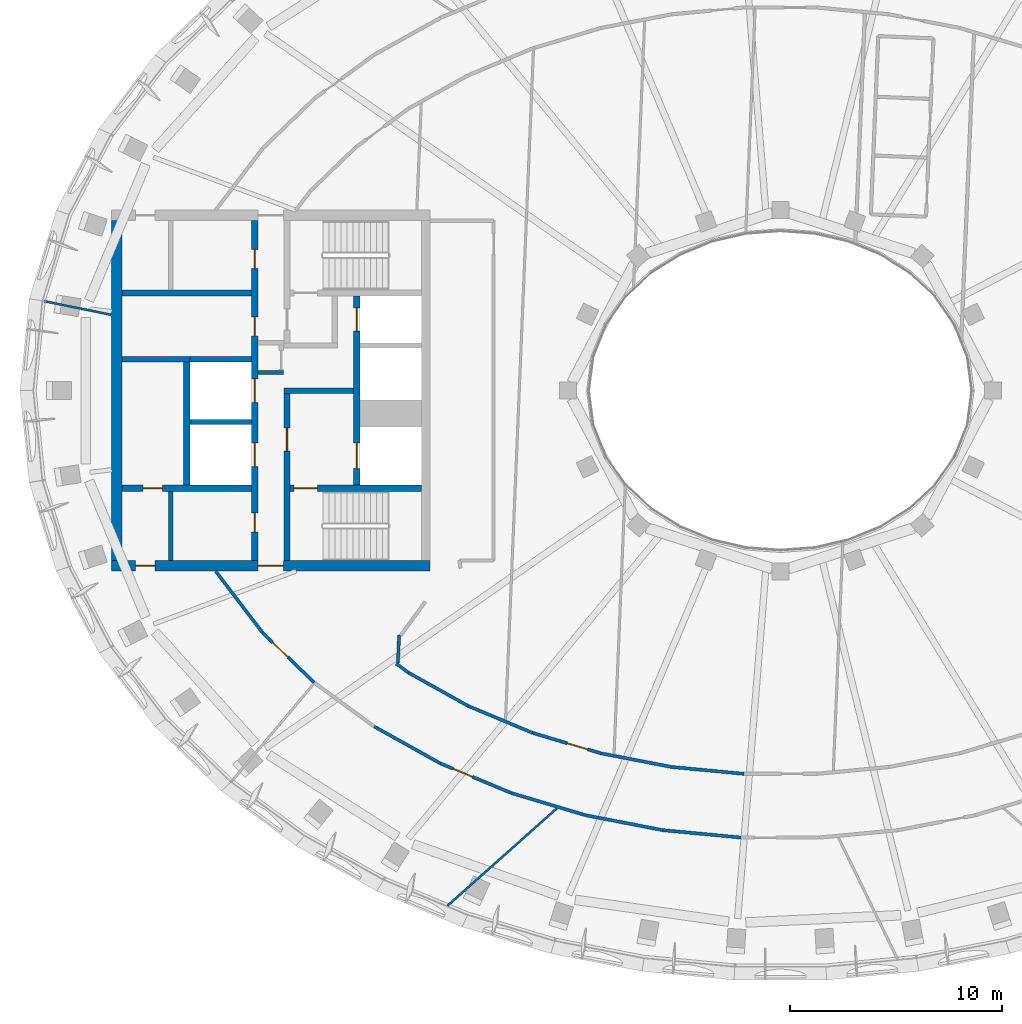
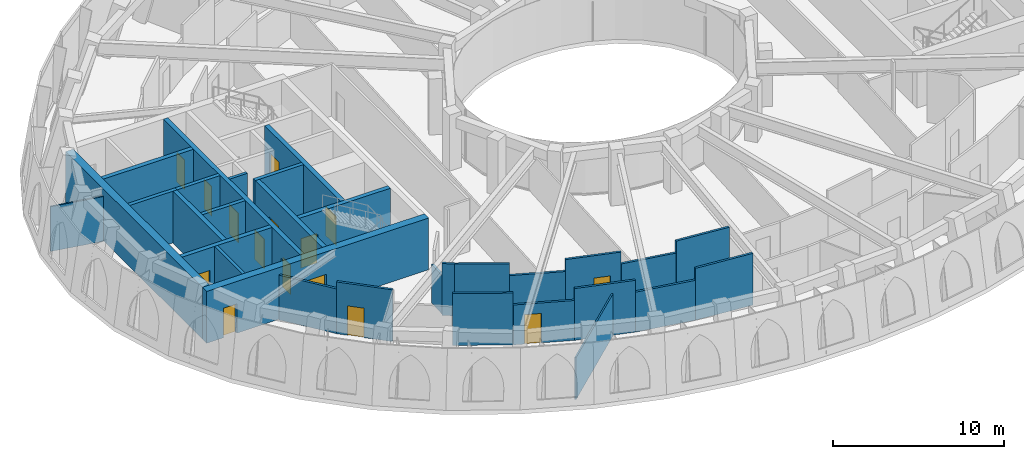
# One storey, part 3 of 14: 31 walls, 15 doors, 15 openings.
"""IFC4 building model written with IfcOpenShell, lengths in metres."""

from ifc_helpers import new_model, si_unit, direction, frame, frame_2d, origin, place, context, subcontext, project, spatial, rectangle, extrude, material, layer, layer_set, type_object, element, fill, save


model = new_model("IFC4")

# Units and contexts
model_context = context("Model", 3, precision=1e-05, world=origin(), true_north=direction((0.0, 1.0)))
body_context = subcontext(model_context, "Body", "Model", "MODEL_VIEW")
ifc_project = project(units=[si_unit("LENGTHUNIT", "METRE"), si_unit("AREAUNIT", "SQUARE_METRE"), si_unit("VOLUMEUNIT", "CUBIC_METRE"), si_unit("PLANEANGLEUNIT", "RADIAN"), si_unit("MASSUNIT", "GRAM", prefix="KILO")], contexts=[model_context])

# Site, building, storey
site_placement = place(None, origin())
site = spatial("IfcSite", under=ifc_project, at=site_placement, CompositionType="ELEMENT")
building_placement = place(site_placement, origin())
building = spatial("IfcBuilding", under=site, at=building_placement, Name="Noorbagh Ring Tower", CompositionType="ELEMENT")
storey_placement = place(building_placement, frame((0.0, 0.0, 335.0)))
storey = spatial("IfcBuildingStorey", under=building, at=storey_placement, Name="L73", CompositionType="ELEMENT", Elevation=335.0)

# Walls
ifc_material_1 = material(Name="Gypsum board on steel studs", Category="steel")
ifc_layer_1 = layer(ifc_material_1, 0.199951171875)
ifc_layer_set_1 = layer_set([ifc_layer_1], Name="Gypsum board on steel studs")
wall_type_1 = type_object("IfcWallType", Name="CORE-PARTITION-200", PredefinedType="PARTITIONING", material=ifc_layer_set_1)
wall_1_placement = place(storey_placement, frame((-23.39990234375, 0.85009765625, 0.0), z_axis=(0.0, 0.0, 1.0), x_axis=(-1.0, 0.0, 0.0)))
element("IfcWall", 1, at=wall_1_placement, inside=storey, type_object=wall_type_1, Name="Core partition W", PredefinedType="PARTITIONING", context=body_context, shape_type="SweptSolid", body=[
    extrude(rectangle(XDim=1.2001953125, YDim=0.199951171875, at=frame_2d((0.60009765625, 0.0))), origin(), (0.0, 0.0, 1.0), 3.699951171875),
])
wall_2_placement = place(storey_placement, frame((-28.699951171875, -8.0, 0.0), z_axis=(0.0, 0.0, 1.0), x_axis=(0.0, 1.0, 0.0)))
element("IfcWall", 2, at=wall_2_placement, inside=storey, type_object=wall_type_1, Name="Core partition W", PredefinedType="PARTITIONING", context=body_context, shape_type="SweptSolid", body=[
    extrude(rectangle(XDim=3.25, YDim=0.199951171875, at=frame_2d((1.625, 0.0))), origin(), (0.0, 0.0, 1.0), 3.699951171875),
])
ifc_material_2 = material(Name="Concrete C50/60", Category="concrete")
ifc_layer_2 = layer(ifc_material_2, 0.25)
ifc_layer_set_2 = layer_set([ifc_layer_2], Name="Concrete C50/60")
wall_type_2 = type_object("IfcWallType", Name="CORE-WALL-250-C50-60-EI120", PredefinedType="SHEAR", material=ifc_layer_set_2)
wall_3_placement = place(storey_placement, frame((-27.800048828125, 1.47509765625, 0.0), z_axis=(0.0, 0.0, 1.0), x_axis=(-1.0, 0.0, 0.0)))
element("IfcWall", 3, at=wall_3_placement, inside=storey, type_object=wall_type_2, Name="Core wall W", PredefinedType="SHEAR", context=body_context, shape_type="SweptSolid", body=[
    extrude(rectangle(XDim=3.199951171875, YDim=0.25, at=frame_2d((1.60009765625, 0.0))), origin(), (0.0, 0.0, 1.0), 3.699951171875),
])
for number, where, z_axis, x_axis, name in (
    (4, (-24.89990234375, -1.47509765625, 0.0), (0.0, 0.0, 1.0), (-1.0, 0.0, 0.0), "Core wall W"),
    (5, (-24.89990234375, 1.47509765625, 0.0), (0.0, 0.0, 1.0), (-1.0, 0.0, 0.0), "Core wall W"),
):
    element("IfcWall", number, at=place(storey_placement, frame(where, z_axis=z_axis, x_axis=x_axis)), inside=storey, type_object=wall_type_2, Name=name, PredefinedType="SHEAR", context=body_context, shape_type="SweptSolid", body=[
        extrude(rectangle(XDim=2.900146484375, YDim=0.25, at=frame_2d((1.4501953125, 0.0))), origin(), (0.0, 0.0, 1.0), 3.699951171875),
    ])
ifc_material_3 = material(Name="Concrete C50/60", Category="concrete")
ifc_layer_3 = layer(ifc_material_3, 0.25)
ifc_layer_set_3 = layer_set([ifc_layer_3], Name="Concrete C50/60")
wall_type_3 = type_object("IfcWallType", Name="CORE-WALL-250-C50-60-EI240", PredefinedType="SHEAR", material=ifc_layer_set_3)
wall_4_placement = place(storey_placement, frame((-20.10009765625, 0.0, 0.0), z_axis=(0.0, 0.0, 1.0), x_axis=(-1.0, 0.0, 0.0)))
element("IfcWall", 6, at=wall_4_placement, inside=storey, type_object=wall_type_3, Name="Core wall W", PredefinedType="SHEAR", context=body_context, shape_type="SweptSolid", body=[
    extrude(rectangle(XDim=3.27978515625, YDim=0.25, at=frame_2d((1.639892578125, 0.0))), origin(), (0.0, 0.0, 1.0), 3.699951171875),
])
ifc_material_4 = material(Name="Concrete C50/60", Category="concrete")
ifc_layer_4 = layer(ifc_material_4, 0.300048828125)
ifc_layer_set_4 = layer_set([ifc_layer_4], Name="Concrete C50/60")
wall_type_4 = type_object("IfcWallType", Name="CORE-WALL-300-C50-60-EI120", PredefinedType="SHEAR", material=ifc_layer_set_4)
wall_5_placement = place(storey_placement, frame((-27.949951171875, -4.449951171875, 0.0), z_axis=(0.0, 0.0, 1.0), x_axis=(0.0, 1.0, 0.0)))
element("IfcWall", 7, at=wall_5_placement, inside=storey, type_object=wall_type_4, Name="Core wall W", PredefinedType="SHEAR", context=body_context, shape_type="SweptSolid", body=[
    extrude(rectangle(XDim=5.800048828125, YDim=0.300048828125, at=frame_2d((2.89990234375, 0.0))), origin(), (0.0, 0.0, 1.0), 3.699951171875),
])

# Wall, openings, doors
wall_6_placement = place(storey_placement, frame((-19.949951171875, -4.449951171875, 0.0), z_axis=(0.0, 0.0, 1.0), x_axis=(0.0, 1.0, 0.0)))
wall_6 = element("IfcWall", 8, at=wall_6_placement, inside=storey, type_object=wall_type_4, Name="Core wall W", PredefinedType="SHEAR", context=body_context, shape_type="SweptSolid", body=[
    extrude(rectangle(XDim=8.89990234375, YDim=0.300048828125, at=frame_2d((4.449951171875, 0.0))), origin(), (0.0, 0.0, 1.0), 3.699951171875),
])
opening_1_placement = place(wall_6_placement, frame((0.77490234375, 0.0, 0.0)))
opening_1 = element("IfcOpeningElement", 9, at=opening_1_placement, cuts=wall_6, Name="Opening L73-CW01", PredefinedType="OPENING", context=body_context, shape_type="SweptSolid", body=[
    extrude(rectangle(XDim=1.199951171875, YDim=2.10009765625, at=frame_2d((0.60009765625, 1.050048828125))), frame((0.0, 0.16015625, 0.0), z_axis=(0.0, -1.0, 0.0), x_axis=(1.0, 0.0, 0.0)), (0.0, 0.0, 1.0), 0.320068359375),
])
opening_2_placement = place(wall_6_placement, frame((7.25, 0.0, 0.0)))
opening_2 = element("IfcOpeningElement", 10, at=opening_2_placement, cuts=wall_6, Name="Opening L73-CW02", PredefinedType="OPENING", context=body_context, shape_type="SweptSolid", body=[
    extrude(rectangle(XDim=1.10009765625, YDim=2.10009765625, at=frame_2d((0.550048828125, 1.050048828125))), frame((0.0, 0.16015625, 0.0), z_axis=(0.0, -1.0, 0.0), x_axis=(1.0, 0.0, 0.0)), (0.0, 0.0, 1.0), 0.320068359375),
])
ifc_material_5 = material(Name="Steel door leaf", Category="steel")
door_type_1 = type_object("IfcDoorType", Name="CORE-DOOR-LD", OperationType="DOUBLE_DOOR_SLIDING", PredefinedType="DOOR", material=ifc_material_5)
door_1_placement = place(opening_2_placement, origin())
door_1 = element("IfcDoor", 11, at=door_1_placement, inside=storey, type_object=door_type_1, Name="Landing door HR1 L73-CW02", OperationType="DOUBLE_DOOR_SLIDING", OverallHeight=2.10009765625, OverallWidth=1.10009765625, PredefinedType="DOOR", context=body_context, shape_type="SweptSolid", body=[
    extrude(rectangle(XDim=1.10009765625, YDim=2.10009765625, at=frame_2d((0.550048828125, 1.050048828125))), frame((0.0, 0.02490234375, 0.0), z_axis=(0.0, -1.0, 0.0), x_axis=(1.0, 0.0, 0.0)), (0.0, 0.0, 1.0), 0.050048828125),
])
fill(opening_2, door_1)
ifc_material_6 = material(Name="Steel door leaf", Category="steel")
door_type_2 = type_object("IfcDoorType", Name="CORE-DOOR-LDW", OperationType="DOUBLE_DOOR_SLIDING", PredefinedType="DOOR", material=ifc_material_6)
door_2_placement = place(opening_1_placement, origin())
door_2 = element("IfcDoor", 12, at=door_2_placement, inside=storey, type_object=door_type_2, Name="Landing door FF1 L73-CW01", OperationType="DOUBLE_DOOR_SLIDING", OverallHeight=2.10009765625, OverallWidth=1.199951171875, PredefinedType="DOOR", context=body_context, shape_type="SweptSolid", body=[
    extrude(rectangle(XDim=1.199951171875, YDim=2.10009765625, at=frame_2d((0.60009765625, 1.050048828125))), frame((0.0, 0.02490234375, 0.0), z_axis=(0.0, -1.0, 0.0), x_axis=(1.0, 0.0, 0.0)), (0.0, 0.0, 1.0), 0.050048828125),
])
fill(opening_1, door_2)

wall_7_placement = place(storey_placement, frame((-24.75, -8.0, 0.0), z_axis=(0.0, 0.0, 1.0), x_axis=(0.0, 1.0, 0.0)))
wall_7 = element("IfcWall", 13, at=wall_7_placement, inside=storey, type_object=wall_type_4, Name="Core wall W", PredefinedType="SHEAR", context=body_context, shape_type="SweptSolid", body=[
    extrude(rectangle(XDim=16.0, YDim=0.300048828125, at=frame_2d((8.0, 0.0))), origin(), (0.0, 0.0, 1.0), 3.699951171875),
])
opening_3_placement = place(wall_7_placement, frame((4.425048828125, 0.0, 0.0)))
opening_3 = element("IfcOpeningElement", 14, at=opening_3_placement, cuts=wall_7, Name="Opening L73-CW03", PredefinedType="OPENING", context=body_context, shape_type="SweptSolid", body=[
    extrude(rectangle(XDim=1.10009765625, YDim=2.10009765625, at=frame_2d((0.550048828125, 1.050048828125))), frame((0.0, 0.16015625, 0.0), z_axis=(0.0, -1.0, 0.0), x_axis=(1.0, 0.0, 0.0)), (0.0, 0.0, 1.0), 0.320068359375),
])
opening_4_placement = place(wall_7_placement, frame((7.449951171875, 0.0, 0.0)))
opening_4 = element("IfcOpeningElement", 15, at=opening_4_placement, cuts=wall_7, Name="Opening L73-CW04", PredefinedType="OPENING", context=body_context, shape_type="SweptSolid", body=[
    extrude(rectangle(XDim=1.10009765625, YDim=2.10009765625, at=frame_2d((0.550048828125, 1.050048828125))), frame((0.0, 0.16015625, 0.0), z_axis=(0.0, -1.0, 0.0), x_axis=(1.0, 0.0, 0.0)), (0.0, 0.0, 1.0), 0.320068359375),
])
opening_5_placement = place(wall_7_placement, frame((10.574951171875, 0.0, 0.0)))
opening_5 = element("IfcOpeningElement", 16, at=opening_5_placement, cuts=wall_7, Name="Opening L73-CW11", PredefinedType="OPENING", context=body_context, shape_type="SweptSolid", body=[
    extrude(rectangle(XDim=0.89990234375, YDim=2.10009765625, at=frame_2d((0.449951171875, 1.050048828125))), frame((0.0, 0.16015625, 0.0), z_axis=(0.0, -1.0, 0.0), x_axis=(1.0, 0.0, 0.0)), (0.0, 0.0, 1.0), 0.320068359375),
])
opening_6_placement = place(wall_7_placement, frame((13.75, 0.0, 0.0)))
opening_6 = element("IfcOpeningElement", 17, at=opening_6_placement, cuts=wall_7, Name="Opening L73-CW12", PredefinedType="OPENING", context=body_context, shape_type="SweptSolid", body=[
    extrude(rectangle(XDim=0.89990234375, YDim=2.10009765625, at=frame_2d((0.449951171875, 1.050048828125))), frame((0.0, 0.16015625, 0.0), z_axis=(0.0, -1.0, 0.0), x_axis=(1.0, 0.0, 0.0)), (0.0, 0.0, 1.0), 0.320068359375),
])
opening_7_placement = place(wall_7_placement, frame((1.35009765625, 0.0, 0.0)))
opening_7 = element("IfcOpeningElement", 18, at=opening_7_placement, cuts=wall_7, Name="Opening L73-CW14", PredefinedType="OPENING", context=body_context, shape_type="SweptSolid", body=[
    extrude(rectangle(XDim=0.89990234375, YDim=2.10009765625, at=frame_2d((0.449951171875, 1.050048828125))), frame((0.0, 0.16015625, 0.0), z_axis=(0.0, -1.0, 0.0), x_axis=(1.0, 0.0, 0.0)), (0.0, 0.0, 1.0), 0.320068359375),
])
ifc_material_7 = material(Name="Steel door leaf", Category="steel")
door_type_3 = type_object("IfcDoorType", Name="CORE-DOOR-DROOM", OperationType="SINGLE_SWING_LEFT", PredefinedType="DOOR", material=ifc_material_7)
door_3_placement = place(opening_5_placement, origin())
door_3 = element("IfcDoor", 19, at=door_3_placement, inside=storey, type_object=door_type_3, Name="Core room door L73-CW11", OperationType="SINGLE_SWING_RIGHT", OverallHeight=2.10009765625, OverallWidth=0.89990234375, PredefinedType="DOOR", context=body_context, shape_type="SweptSolid", body=[
    extrude(rectangle(XDim=0.89990234375, YDim=2.10009765625, at=frame_2d((0.449951171875, 1.050048828125))), frame((0.0, 0.02490234375, 0.0), z_axis=(0.0, -1.0, 0.0), x_axis=(1.0, 0.0, 0.0)), (0.0, 0.0, 1.0), 0.050048828125),
])
fill(opening_5, door_3)
door_4_placement = place(opening_6_placement, origin())
door_4 = element("IfcDoor", 20, at=door_4_placement, inside=storey, type_object=door_type_3, Name="Core room door L73-CW12", OperationType="SINGLE_SWING_RIGHT", OverallHeight=2.10009765625, OverallWidth=0.89990234375, PredefinedType="DOOR", context=body_context, shape_type="SweptSolid", body=[
    extrude(rectangle(XDim=0.89990234375, YDim=2.10009765625, at=frame_2d((0.449951171875, 1.050048828125))), frame((0.0, 0.02490234375, 0.0), z_axis=(0.0, -1.0, 0.0), x_axis=(1.0, 0.0, 0.0)), (0.0, 0.0, 1.0), 0.050048828125),
])
fill(opening_6, door_4)
door_5_placement = place(opening_7_placement, origin())
door_5 = element("IfcDoor", 21, at=door_5_placement, inside=storey, type_object=door_type_3, Name="Core room door L73-CW14", OperationType="SINGLE_SWING_LEFT", OverallHeight=2.10009765625, OverallWidth=0.89990234375, PredefinedType="DOOR", context=body_context, shape_type="SweptSolid", body=[
    extrude(rectangle(XDim=0.89990234375, YDim=2.10009765625, at=frame_2d((0.449951171875, 1.050048828125))), frame((0.0, 0.02490234375, 0.0), z_axis=(0.0, -1.0, 0.0), x_axis=(1.0, 0.0, 0.0)), (0.0, 0.0, 1.0), 0.050048828125),
])
fill(opening_7, door_5)
door_6_placement = place(opening_3_placement, origin())
door_6 = element("IfcDoor", 22, at=door_6_placement, inside=storey, type_object=door_type_1, Name="Landing door HR5 L73-CW03", OperationType="DOUBLE_DOOR_SLIDING", OverallHeight=2.10009765625, OverallWidth=1.10009765625, PredefinedType="DOOR", context=body_context, shape_type="SweptSolid", body=[
    extrude(rectangle(XDim=1.10009765625, YDim=2.10009765625, at=frame_2d((0.550048828125, 1.050048828125))), frame((0.0, 0.02490234375, 0.0), z_axis=(0.0, -1.0, 0.0), x_axis=(1.0, 0.0, 0.0)), (0.0, 0.0, 1.0), 0.050048828125),
])
fill(opening_3, door_6)
door_7_placement = place(opening_4_placement, origin())
door_7 = element("IfcDoor", 23, at=door_7_placement, inside=storey, type_object=door_type_1, Name="Landing door HR6 L73-CW04", OperationType="DOUBLE_DOOR_SLIDING", OverallHeight=2.10009765625, OverallWidth=1.10009765625, PredefinedType="DOOR", context=body_context, shape_type="SweptSolid", body=[
    extrude(rectangle(XDim=1.10009765625, YDim=2.10009765625, at=frame_2d((0.550048828125, 1.050048828125))), frame((0.0, 0.02490234375, 0.0), z_axis=(0.0, -1.0, 0.0), x_axis=(1.0, 0.0, 0.0)), (0.0, 0.0, 1.0), 0.050048828125),
])
fill(opening_4, door_7)

# Wall
ifc_material_8 = material(Name="Concrete C50/60", Category="concrete")
ifc_layer_5 = layer(ifc_material_8, 0.300048828125)
ifc_layer_set_5 = layer_set([ifc_layer_5], Name="Concrete C50/60")
wall_type_5 = type_object("IfcWallType", Name="CORE-WALL-300-C50-60-EI240", PredefinedType="SHEAR", material=ifc_layer_set_5)
wall_8_placement = place(storey_placement, frame((-24.89990234375, 4.60009765625, 0.0), z_axis=(0.0, 0.0, 1.0), x_axis=(-1.0, 0.0, 0.0)))
element("IfcWall", 24, at=wall_8_placement, inside=storey, type_object=wall_type_5, Name="Core wall W", PredefinedType="SHEAR", context=body_context, shape_type="SweptSolid", body=[
    extrude(rectangle(XDim=6.10009765625, YDim=0.300048828125, at=frame_2d((3.050048828125, 0.0))), origin(), (0.0, 0.0, 1.0), 3.699951171875),
])

# Wall, opening, door
wall_9_placement = place(storey_placement, frame((-24.89990234375, -4.60009765625, 0.0), z_axis=(0.0, 0.0, 1.0), x_axis=(-1.0, 0.0, 0.0)))
wall_9 = element("IfcWall", 25, at=wall_9_placement, inside=storey, type_object=wall_type_5, Name="Core wall W", PredefinedType="SHEAR", context=body_context, shape_type="SweptSolid", body=[
    extrude(rectangle(XDim=6.10009765625, YDim=0.300048828125, at=frame_2d((3.050048828125, 0.0))), origin(), (0.0, 0.0, 1.0), 3.699951171875),
])
opening_8_placement = place(wall_9_placement, frame((4.199951171875, 0.0, 0.0)))
opening_8 = element("IfcOpeningElement", 26, at=opening_8_placement, cuts=wall_9, Name="Opening L73-CW17", PredefinedType="OPENING", context=body_context, shape_type="SweptSolid", body=[
    extrude(rectangle(XDim=0.89990234375, YDim=2.10009765625, at=frame_2d((0.449951171875, 1.050048828125))), frame((0.0, 0.16015625, 0.0), z_axis=(0.0, -1.0, 0.0), x_axis=(1.0, 0.0, 0.0)), (0.0, 0.0, 1.0), 0.320068359375),
])
door_8_placement = place(opening_8_placement, origin())
door_8 = element("IfcDoor", 27, at=door_8_placement, inside=storey, type_object=door_type_3, Name="Core room door L73-CW17", OperationType="SINGLE_SWING_RIGHT", OverallHeight=2.10009765625, OverallWidth=0.89990234375, PredefinedType="DOOR", context=body_context, shape_type="SweptSolid", body=[
    extrude(rectangle(XDim=0.89990234375, YDim=2.10009765625, at=frame_2d((0.449951171875, 1.050048828125))), frame((0.0, 0.02490234375, 0.0), z_axis=(0.0, -1.0, 0.0), x_axis=(1.0, 0.0, 0.0)), (0.0, 0.0, 1.0), 0.050048828125),
])
fill(opening_8, door_8)

wall_10_placement = place(storey_placement, frame((-23.22998046875, -8.0, 0.0), z_axis=(0.0, 0.0, 1.0), x_axis=(0.0, 1.0, 0.0)))
wall_10 = element("IfcWall", 28, at=wall_10_placement, inside=storey, type_object=wall_type_5, Name="Core wall W", PredefinedType="SHEAR", context=body_context, shape_type="SweptSolid", body=[
    extrude(rectangle(XDim=7.875, YDim=0.300048828125, at=frame_2d((3.9375, 0.0))), origin(), (0.0, 0.0, 1.0), 3.699951171875),
])
opening_9_placement = place(wall_10_placement, frame((5.14990234375, 0.0, 0.0)))
opening_9 = element("IfcOpeningElement", 29, at=opening_9_placement, cuts=wall_10, Name="Opening L73-CW07", PredefinedType="OPENING", context=body_context, shape_type="SweptSolid", body=[
    extrude(rectangle(XDim=1.10009765625, YDim=2.10009765625, at=frame_2d((0.550048828125, 1.050048828125))), frame((0.0, 0.16015625, 0.0), z_axis=(0.0, -1.0, 0.0), x_axis=(1.0, 0.0, 0.0)), (0.0, 0.0, 1.0), 0.320068359375),
])
ifc_material_9 = material(Name="Steel door leaf", Category="steel")
door_type_4 = type_object("IfcDoorType", Name="CORE-DOOR-DFF", OperationType="SINGLE_SWING_LEFT", PredefinedType="DOOR", material=ifc_material_9)
door_9_placement = place(opening_9_placement, origin())
door_9 = element("IfcDoor", 30, at=door_9_placement, inside=storey, type_object=door_type_4, Name="Firefighting lobby door L73-CW07", OperationType="SINGLE_SWING_LEFT", OverallHeight=2.10009765625, OverallWidth=1.10009765625, PredefinedType="DOOR", context=body_context, shape_type="SweptSolid", body=[
    extrude(rectangle(XDim=1.10009765625, YDim=2.10009765625, at=frame_2d((0.550048828125, 1.050048828125))), frame((0.0, 0.02490234375, 0.0), z_axis=(0.0, -1.0, 0.0), x_axis=(1.0, 0.0, 0.0)), (0.0, 0.0, 1.0), 0.050048828125),
])
fill(opening_9, door_9)

wall_11_placement = place(storey_placement, frame((-16.89990234375, -4.60009765625, 0.0), z_axis=(0.0, 0.0, 1.0), x_axis=(-1.0, 0.0, 0.0)))
wall_11 = element("IfcWall", 31, at=wall_11_placement, inside=storey, type_object=wall_type_5, Name="Core wall W", PredefinedType="SHEAR", context=body_context, shape_type="SweptSolid", body=[
    extrude(rectangle(XDim=6.18017578125, YDim=0.300048828125, at=frame_2d((3.090087890625, 0.0))), origin(), (0.0, 0.0, 1.0), 3.699951171875),
])
opening_10_placement = place(wall_11_placement, frame((4.89990234375, 0.0, 0.0)))
opening_10 = element("IfcOpeningElement", 32, at=opening_10_placement, cuts=wall_11, Name="Opening L73-CW06", PredefinedType="OPENING", context=body_context, shape_type="SweptSolid", body=[
    extrude(rectangle(XDim=1.10009765625, YDim=2.10009765625, at=frame_2d((0.550048828125, 1.050048828125))), frame((0.0, 0.16015625, 0.0), z_axis=(0.0, -1.0, 0.0), x_axis=(1.0, 0.0, 0.0)), (0.0, 0.0, 1.0), 0.320068359375),
])
ifc_material_10 = material(Name="Steel door leaf", Category="steel")
door_type_5 = type_object("IfcDoorType", Name="CORE-DOOR-DSTAIR", OperationType="SINGLE_SWING_LEFT", PredefinedType="DOOR", material=ifc_material_10)
door_10_placement = place(opening_10_placement, origin())
door_10 = element("IfcDoor", 33, at=door_10_placement, inside=storey, type_object=door_type_5, Name="Stair door ST2 L73-CW06", OperationType="SINGLE_SWING_LEFT", OverallHeight=2.10009765625, OverallWidth=1.10009765625, PredefinedType="DOOR", context=body_context, shape_type="SweptSolid", body=[
    extrude(rectangle(XDim=1.10009765625, YDim=2.10009765625, at=frame_2d((0.550048828125, 1.050048828125))), frame((0.0, 0.02490234375, 0.0), z_axis=(0.0, -1.0, 0.0), x_axis=(1.0, 0.0, 0.0)), (0.0, 0.0, 1.0), 0.050048828125),
])
fill(opening_10, door_10)

# Wall, openings, doors
ifc_material_11 = material(Name="Concrete C50/60", Category="concrete")
ifc_layer_6 = layer(ifc_material_11, 0.5)
ifc_layer_set_6 = layer_set([ifc_layer_6], Name="Concrete C50/60")
wall_type_6 = type_object("IfcWallType", Name="CORE-WALL-500-C50-60-EI240", PredefinedType="SHEAR", material=ifc_layer_set_6)
wall_12_placement = place(storey_placement, frame((-16.5, -8.25, 0.0), z_axis=(0.0, 0.0, 1.0), x_axis=(-1.0, 0.0, 0.0)))
wall_12 = element("IfcWall", 34, at=wall_12_placement, inside=storey, type_object=wall_type_6, Name="Core wall W", PredefinedType="SHEAR", context=body_context, shape_type="SweptSolid", body=[
    extrude(rectangle(XDim=15.0, YDim=0.5, at=frame_2d((7.5, 0.0))), origin(), (0.0, 0.0, 1.0), 3.699951171875),
])
opening_11_placement = place(wall_12_placement, frame((6.89990234375, 0.0, 0.0)))
opening_11 = element("IfcOpeningElement", 35, at=opening_11_placement, cuts=wall_12, Name="Opening L73-CW10", PredefinedType="OPENING", context=body_context, shape_type="SweptSolid", body=[
    extrude(rectangle(XDim=1.199951171875, YDim=2.10009765625, at=frame_2d((0.60009765625, 1.050048828125))), frame((0.0, 0.260009765625, 0.0), z_axis=(0.0, -1.0, 0.0), x_axis=(1.0, 0.0, 0.0)), (0.0, 0.0, 1.0), 0.52001953125),
])
opening_12_placement = place(wall_12_placement, frame((12.949951171875, 0.0, 0.0)))
opening_12 = element("IfcOpeningElement", 36, at=opening_12_placement, cuts=wall_12, Name="Opening L73-CW15", PredefinedType="OPENING", context=body_context, shape_type="SweptSolid", body=[
    extrude(rectangle(XDim=0.89990234375, YDim=2.10009765625, at=frame_2d((0.449951171875, 1.050048828125))), frame((0.0, 0.260009765625, 0.0), z_axis=(0.0, -1.0, 0.0), x_axis=(1.0, 0.0, 0.0)), (0.0, 0.0, 1.0), 0.52001953125),
])
door_11_placement = place(opening_12_placement, origin())
door_11 = element("IfcDoor", 37, at=door_11_placement, inside=storey, type_object=door_type_3, Name="Core room door L73-CW15", OperationType="SINGLE_SWING_LEFT", OverallHeight=2.10009765625, OverallWidth=0.89990234375, PredefinedType="DOOR", context=body_context, shape_type="SweptSolid", body=[
    extrude(rectangle(XDim=0.89990234375, YDim=2.10009765625, at=frame_2d((0.449951171875, 1.050048828125))), frame((0.0, 0.02490234375, 0.0), z_axis=(0.0, -1.0, 0.0), x_axis=(1.0, 0.0, 0.0)), (0.0, 0.0, 1.0), 0.050048828125),
])
fill(opening_12, door_11)
ifc_material_12 = material(Name="Steel door leaf", Category="steel")
door_type_6 = type_object("IfcDoorType", Name="CORE-DOOR-PORT", OperationType="DOUBLE_DOOR_DOUBLE_SWING", PredefinedType="DOOR", material=ifc_material_12)
door_12_placement = place(opening_11_placement, origin())
door_12 = element("IfcDoor", 38, at=door_12_placement, inside=storey, type_object=door_type_6, Name="Core entrance door L73-CW10", OperationType="DOUBLE_DOOR_DOUBLE_SWING", OverallHeight=2.10009765625, OverallWidth=1.199951171875, PredefinedType="DOOR", context=body_context, shape_type="SweptSolid", body=[
    extrude(rectangle(XDim=1.199951171875, YDim=2.10009765625, at=frame_2d((0.60009765625, 1.050048828125))), frame((0.0, 0.02490234375, 0.0), z_axis=(0.0, -1.0, 0.0), x_axis=(1.0, 0.0, 0.0)), (0.0, 0.0, 1.0), 0.050048828125),
])
fill(opening_11, door_12)

# Walls
wall_13_placement = place(storey_placement, frame((-31.25, -8.0, 0.0), z_axis=(0.0, 0.0, 1.0), x_axis=(0.0, 1.0, 0.0)))
element("IfcWall", 39, at=wall_13_placement, inside=storey, type_object=wall_type_6, Name="Core wall W", PredefinedType="SHEAR", context=body_context, shape_type="SweptSolid", body=[
    extrude(rectangle(XDim=16.0, YDim=0.5, at=frame_2d((8.0, 0.0))), origin(), (0.0, 0.0, 1.0), 3.699951171875),
])
ifc_material_13 = material(Name="Gypsum board on steel studs", Category="steel")
ifc_layer_7 = layer(ifc_material_13, 0.14990234375)
ifc_layer_set_7 = layer_set([ifc_layer_7], Name="Gypsum board on steel studs")
wall_type_7 = type_object("IfcWallType", Name="CORRIDOR PARTITION 150 EI 30", PredefinedType="PARTITIONING", material=ifc_layer_set_7)
wall_14_placement = place(storey_placement, frame((-26.5869140625, -8.5, 0.0), z_axis=(0.0, 0.0, 1.0), x_axis=(0.606510838275, -0.795075218489, 0.0)))
element("IfcWall", 40, at=wall_14_placement, inside=storey, type_object=wall_type_7, Name="L73/wall/P02", PredefinedType="PARTITIONING", context=body_context, shape_type="SweptSolid", body=[
    extrude(rectangle(XDim=3.6484375, YDim=0.14990234375, at=frame_2d((1.82421875, 0.0))), origin(), (0.0, 0.0, 1.0), 3.199951171875),
])

# Wall, opening, door
wall_15_placement = place(storey_placement, frame((-24.3740234375, -11.40087890625, 0.0), z_axis=(0.0, 0.0, 1.0), x_axis=(0.719584708849, -0.694404670772, 0.0)))
wall_15 = element("IfcWall", 41, at=wall_15_placement, inside=storey, type_object=wall_type_7, Name="L73/wall/P05", PredefinedType="PARTITIONING", context=body_context, shape_type="SweptSolid", body=[
    extrude(rectangle(XDim=3.3740234375, YDim=0.14990234375, at=frame_2d((1.68701171875, 0.0))), origin(), (0.0, 0.0, 1.0), 3.699951171875),
])
opening_13_placement = place(wall_15_placement, frame((0.64990234375, 0.0, 0.0)))
opening_13 = element("IfcOpeningElement", 42, at=opening_13_placement, cuts=wall_15, Name="Opening D1", PredefinedType="OPENING", context=body_context, shape_type="SweptSolid", body=[
    extrude(rectangle(XDim=1.0, YDim=2.10009765625, at=frame_2d((0.5, 1.050048828125))), frame((0.0, 0.0849609375, 0.0), z_axis=(0.0, -1.0, 0.0), x_axis=(1.0, 0.0, 0.0)), (0.0, 0.0, 1.0), 0.169921875),
])
ifc_material_14 = material(Name="Timber, painted", Category="wood")
door_type_7 = type_object("IfcDoorType", Name="DOOR 1000 X 2100 FD30", OperationType="SINGLE_SWING_LEFT", PredefinedType="DOOR", material=ifc_material_14)
door_13_placement = place(opening_13_placement, origin())
door_13 = element("IfcDoor", 43, at=door_13_placement, inside=storey, type_object=door_type_7, Name="L73-D05", OperationType="SINGLE_SWING_LEFT", OverallHeight=2.10009765625, OverallWidth=1.0, PredefinedType="DOOR", context=body_context, shape_type="SweptSolid", body=[
    extrude(rectangle(XDim=1.0, YDim=2.10009765625, at=frame_2d((0.5, 1.050048828125))), frame((0.0, 0.02490234375, 0.0), z_axis=(0.0, -1.0, 0.0), x_axis=(1.0, 0.0, 0.0)), (0.0, 0.0, 1.0), 0.050048828125),
])
fill(opening_13, door_13)

# Walls
wall_16_placement = place(storey_placement, frame((-19.118896484375, -15.81591796875, 0.0), z_axis=(0.0, 0.0, 1.0), x_axis=(0.8733245988, -0.487138732941, 0.0)))
element("IfcWall", 44, at=wall_16_placement, inside=storey, type_object=wall_type_7, Name="L73/wall/P12", PredefinedType="PARTITIONING", context=body_context, shape_type="SweptSolid", body=[
    extrude(rectangle(XDim=3.559814453125, YDim=0.14990234375, at=frame_2d((1.77978515625, 0.0))), origin(), (0.0, 0.0, 1.0), 3.699951171875),
])
wall_17_placement = place(storey_placement, frame((-18.089111328125, -12.85302734375, 0.0), z_axis=(0.0, 0.0, 1.0), x_axis=(0.807713910796, -0.589574624883, 0.0)))
element("IfcWall", 45, at=wall_17_placement, inside=storey, type_object=wall_type_7, Name="L73/wall/P15", PredefinedType="PARTITIONING", context=body_context, shape_type="SweptSolid", body=[
    extrude(rectangle(XDim=0.734130859375, YDim=0.14990234375, at=frame_2d((0.3671875, 0.0))), origin(), (0.0, 0.0, 1.0), 3.699951171875),
])
wall_18_placement = place(storey_placement, frame((-18.006103515625, -12.820068359375, 0.0), z_axis=(0.0, 0.0, 1.0), x_axis=(0.04188493261, 0.999122441155, 0.0)))
element("IfcWall", 46, at=wall_18_placement, inside=storey, type_object=wall_type_7, Name="L73/wall/P16", PredefinedType="PARTITIONING", context=body_context, shape_type="SweptSolid", body=[
    extrude(rectangle(XDim=1.3173828125, YDim=0.14990234375, at=frame_2d((0.65869140625, 0.0))), origin(), (0.0, 0.0, 1.0), 2.75),
])
wall_19_placement = place(storey_placement, frame((-17.49609375, -13.285888671875, 0.0), z_axis=(0.0, 0.0, 1.0), x_axis=(0.873362004831, -0.487071666715, 0.0)))
element("IfcWall", 47, at=wall_19_placement, inside=storey, type_object=wall_type_7, Name="L73/wall/P18", PredefinedType="PARTITIONING", context=body_context, shape_type="SweptSolid", body=[
    extrude(rectangle(XDim=3.204833984375, YDim=0.14990234375, at=frame_2d((1.6025390625, 0.0))), origin(), (0.0, 0.0, 1.0), 3.699951171875),
])

# Wall, opening, door
wall_20_placement = place(storey_placement, frame((-16.010009765625, -17.550048828125, 0.0), z_axis=(0.0, 0.0, 1.0), x_axis=(0.9227571136, -0.385382030329, 0.0)))
wall_20 = element("IfcWall", 48, at=wall_20_placement, inside=storey, type_object=wall_type_7, Name="L73/wall/P23", PredefinedType="PARTITIONING", context=body_context, shape_type="SweptSolid", body=[
    extrude(rectangle(XDim=3.6171875, YDim=0.14990234375, at=frame_2d((1.80859375, 0.0))), origin(), (0.0, 0.0, 1.0), 2.85009765625),
])
opening_14_placement = place(wall_20_placement, frame((0.64990234375, 0.0, 0.0)))
opening_14 = element("IfcOpeningElement", 49, at=opening_14_placement, cuts=wall_20, Name="Opening D1", PredefinedType="OPENING", context=body_context, shape_type="SweptSolid", body=[
    extrude(rectangle(XDim=1.0, YDim=2.10009765625, at=frame_2d((0.5, 1.050048828125))), frame((0.0, 0.0849609375, 0.0), z_axis=(0.0, -1.0, 0.0), x_axis=(1.0, 0.0, 0.0)), (0.0, 0.0, 1.0), 0.169921875),
])
door_14_placement = place(opening_14_placement, origin())
door_14 = element("IfcDoor", 50, at=door_14_placement, inside=storey, type_object=door_type_7, Name="L73-D07", OperationType="SINGLE_SWING_LEFT", OverallHeight=2.10009765625, OverallWidth=1.0, PredefinedType="DOOR", context=body_context, shape_type="SweptSolid", body=[
    extrude(rectangle(XDim=1.0, YDim=2.10009765625, at=frame_2d((0.5, 1.050048828125))), frame((0.0, 0.02490234375, 0.0), z_axis=(0.0, -1.0, 0.0), x_axis=(1.0, 0.0, 0.0)), (0.0, 0.0, 1.0), 0.050048828125),
])
fill(opening_14, door_14)

# Walls
wall_21_placement = place(storey_placement, frame((-14.697021484375, -14.846923828125, 0.0), z_axis=(0.0, 0.0, 1.0), x_axis=(0.922751694148, -0.385395006385, 0.0)))
element("IfcWall", 51, at=wall_21_placement, inside=storey, type_object=wall_type_7, Name="L73/wall/P28", PredefinedType="PARTITIONING", context=body_context, shape_type="SweptSolid", body=[
    extrude(rectangle(XDim=3.290283203125, YDim=0.14990234375, at=frame_2d((1.64501953125, 0.0))), origin(), (0.0, 0.0, 1.0), 2.85009765625),
])
wall_22_placement = place(storey_placement, frame((-12.672119140625, -18.944091796875, 0.0), z_axis=(0.0, 0.0, 1.0), x_axis=(0.958125074683, -0.286350032765, 0.0)))
element("IfcWall", 52, at=wall_22_placement, inside=storey, type_object=wall_type_7, Name="L73/wall/P32", PredefinedType="PARTITIONING", context=body_context, shape_type="SweptSolid", body=[
    extrude(rectangle(XDim=3.659423828125, YDim=0.14990234375, at=frame_2d((1.82958984375, 0.0))), origin(), (0.0, 0.0, 1.0), 3.699951171875),
])

# Wall, opening, door
wall_23_placement = place(storey_placement, frame((-11.660888671875, -16.114990234375, 0.0), z_axis=(0.0, 0.0, 1.0), x_axis=(0.958098533174, -0.286438825459, 0.0)))
wall_23 = element("IfcWall", 53, at=wall_23_placement, inside=storey, type_object=wall_type_7, Name="L73/wall/P34", PredefinedType="PARTITIONING", context=body_context, shape_type="SweptSolid", body=[
    extrude(rectangle(XDim=3.351318359375, YDim=0.14990234375, at=frame_2d((1.67578125, 0.0))), origin(), (0.0, 0.0, 1.0), 3.699951171875),
])
opening_15_placement = place(wall_23_placement, frame((1.701416015625, 0.0, 0.0)))
opening_15 = element("IfcOpeningElement", 54, at=opening_15_placement, cuts=wall_23, Name="Opening D1", PredefinedType="OPENING", context=body_context, shape_type="SweptSolid", body=[
    extrude(rectangle(XDim=1.0, YDim=2.10009765625, at=frame_2d((0.5, 1.050048828125))), frame((0.0, 0.0849609375, 0.0), z_axis=(0.0, -1.0, 0.0), x_axis=(1.0, 0.0, 0.0)), (0.0, 0.0, 1.0), 0.169921875),
])
door_15_placement = place(opening_15_placement, origin())
door_15 = element("IfcDoor", 55, at=door_15_placement, inside=storey, type_object=door_type_7, Name="L73-D17", OperationType="SINGLE_SWING_LEFT", OverallHeight=2.10009765625, OverallWidth=1.0, PredefinedType="DOOR", context=body_context, shape_type="SweptSolid", body=[
    extrude(rectangle(XDim=1.0, YDim=2.10009765625, at=frame_2d((0.5, 1.050048828125))), frame((0.0, 0.02490234375, 0.0), z_axis=(0.0, -1.0, 0.0), x_axis=(1.0, 0.0, 0.0)), (0.0, 0.0, 1.0), 0.050048828125),
])
fill(opening_15, door_15)

# Walls
wall_24_placement = place(storey_placement, frame((-9.166015625, -19.991943359375, 0.0), z_axis=(0.0, 0.0, 1.0), x_axis=(0.981835168489, -0.189735874094, 0.0)))
element("IfcWall", 56, at=wall_24_placement, inside=storey, type_object=wall_type_7, Name="L73/wall/P36", PredefinedType="PARTITIONING", context=body_context, shape_type="SweptSolid", body=[
    extrude(rectangle(XDim=3.68896484375, YDim=0.14990234375, at=frame_2d((1.844482421875, 0.0))), origin(), (0.0, 0.0, 1.0), 2.85009765625),
])
wall_25_placement = place(storey_placement, frame((-8.449951171875, -17.074951171875, 0.0), z_axis=(0.0, 0.0, 1.0), x_axis=(0.981837801706, -0.189722247356, 0.0)))
element("IfcWall", 57, at=wall_25_placement, inside=storey, type_object=wall_type_7, Name="L73/wall/P38", PredefinedType="PARTITIONING", context=body_context, shape_type="SweptSolid", body=[
    extrude(rectangle(XDim=3.394775390625, YDim=0.14990234375, at=frame_2d((1.697265625, 0.0))), origin(), (0.0, 0.0, 1.0), 2.85009765625),
])
wall_26_placement = place(storey_placement, frame((-5.5439453125, -20.69189453125, 0.0), z_axis=(0.0, 0.0, 1.0), x_axis=(0.995551560304, -0.094218314443, 0.0)))
element("IfcWall", 58, at=wall_26_placement, inside=storey, type_object=wall_type_7, Name="L73/wall/P42", PredefinedType="PARTITIONING", context=body_context, shape_type="SweptSolid", body=[
    extrude(rectangle(XDim=3.70556640625, YDim=0.14990234375, at=frame_2d((1.852783203125, 0.0))), origin(), (0.0, 0.0, 1.0), 3.699951171875),
])
wall_27_placement = place(storey_placement, frame((-5.116943359375, -17.718994140625, 0.0), z_axis=(0.0, 0.0, 1.0), x_axis=(0.99555211454, -0.094212457962, 0.0)))
element("IfcWall", 59, at=wall_27_placement, inside=storey, type_object=wall_type_7, Name="L73/wall/P44", PredefinedType="PARTITIONING", context=body_context, shape_type="SweptSolid", body=[
    extrude(rectangle(XDim=3.41796875, YDim=0.14990234375, at=frame_2d((1.708984375, 0.0))), origin(), (0.0, 0.0, 1.0), 3.699951171875),
])
ifc_material_15 = material(Name="Gypsum board on steel studs", Category="steel")
ifc_layer_8 = layer(ifc_material_15, 0.10009765625)
ifc_layer_set_8 = layer_set([ifc_layer_8], Name="Gypsum board on steel studs")
wall_type_8 = type_object("IfcWallType", Name="PARTITION 100 GYPSUM", PredefinedType="PARTITIONING", material=ifc_layer_set_8)
wall_28_placement = place(storey_placement, frame((-34.712890625, 4.222900390625, 0.0), z_axis=(0.0, 0.0, 1.0), x_axis=(0.980101708204, -0.198495948512, 0.0)))
element("IfcWall", 60, at=wall_28_placement, inside=storey, type_object=wall_type_8, Name="L73/wall/P01", PredefinedType="PARTITIONING", context=body_context, shape_type="SweptSolid", body=[
    extrude(rectangle(XDim=3.274169921875, YDim=0.10009765625, at=frame_2d((1.63720703125, 0.0))), origin(), (0.0, 0.0, 1.0), 3.199951171875),
])
wall_29_placement = place(storey_placement, frame((-15.6689453125, -24.248046875, 0.0), z_axis=(0.0, 0.0, 1.0), x_axis=(0.746908706259, 0.664926600848, 0.0)))
element("IfcWall", 61, at=wall_29_placement, inside=storey, type_object=wall_type_8, Name="L73/wall/P25", PredefinedType="PARTITIONING", context=body_context, shape_type="SweptSolid", body=[
    extrude(rectangle(XDim=6.89111328125, YDim=0.10009765625, at=frame_2d((3.445556640625, 0.0))), origin(), (0.0, 0.0, 1.0), 3.0),
])

save(model, "model.ifc")
